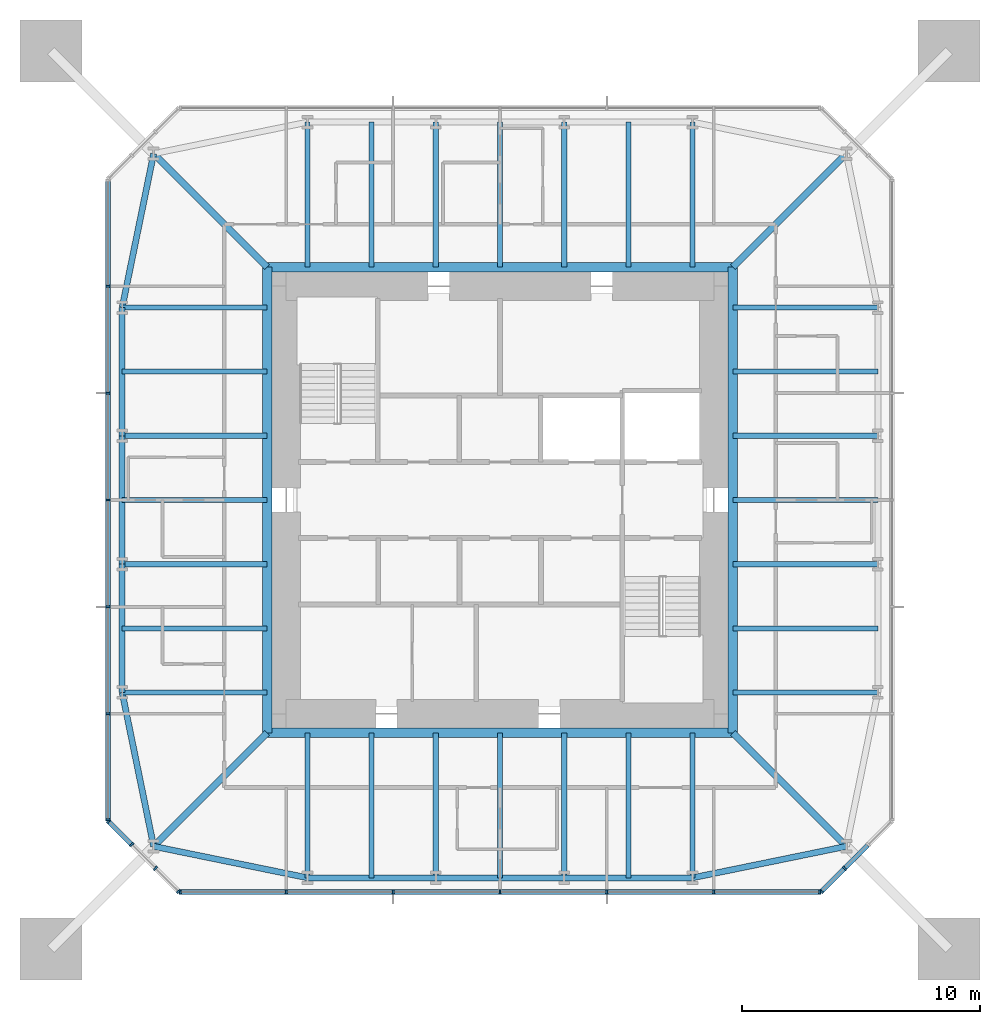
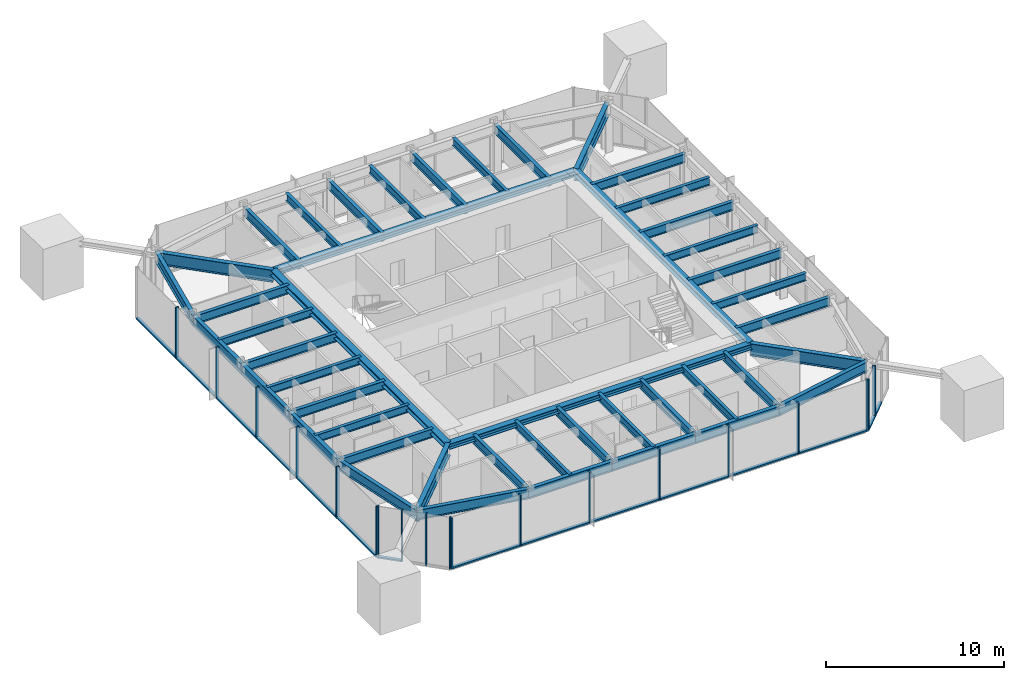
# One storey, part 2 of 9: 46 beams, 34 members, 4 elements without a shape of their own.
"""IFC4 building model written with IfcOpenShell, lengths in metres."""

from ifc_helpers import new_model, si_unit, direction, frame, origin, origin_2d, place, context, subcontext, project, spatial, rectangle, i_section, extrude, material, material_profile, profile_set, type_object, element, aggregate, save


model = new_model("IFC4")

# Units and contexts
model_context = context("Model", 3, precision=1e-05, world=origin(), true_north=direction((0.0, 1.0)))
body_context = subcontext(model_context, "Body", "Model", "MODEL_VIEW")
ifc_project = project(units=[si_unit("LENGTHUNIT", "METRE"), si_unit("AREAUNIT", "SQUARE_METRE"), si_unit("VOLUMEUNIT", "CUBIC_METRE"), si_unit("PLANEANGLEUNIT", "RADIAN"), si_unit("MASSUNIT", "GRAM", prefix="KILO")], contexts=[model_context])

# Site, building, storey
site_placement = place(None, origin())
site = spatial("IfcSite", under=ifc_project, at=site_placement, CompositionType="ELEMENT")
building_placement = place(site_placement, origin())
building = spatial("IfcBuilding", under=site, at=building_placement, Name="Iwan Alto Co-Living Towers", CompositionType="ELEMENT")
storey_placement = place(building_placement, frame((0.0, 0.0, 236.0)))
storey = spatial("IfcBuildingStorey", under=building, at=storey_placement, Name="L64", CompositionType="ELEMENT", Elevation=236.0)

# Curtain wall, members
ifc_material_1 = material(Name="Bronze aluminium unitised frame", Category="aluminium")
curtain_wall_type_1 = type_object("IfcCurtainWallType", Name="CURTAIN WALL CW-A", PredefinedType="NOTDEFINED", material=ifc_material_1)
curtain_wall_1_placement = place(storey_placement, origin())
curtain_wall_1 = element("IfcCurtainWall", 1, at=curtain_wall_1_placement, inside=storey, type_object=curtain_wall_type_1, Name="T1 curtain wall S L64", PredefinedType="NOTDEFINED")
ifc_material_2 = material(Name="Aluminium 6063-T6 bronze anodised", Category="aluminium")
ifc_material_profile_1 = material_profile(ifc_material_2, rectangle(XDim=0.199951171875, YDim=0.080078125, at=origin_2d()), Name="AL 80X200")
ifc_profile_set_1 = profile_set([ifc_material_profile_1], Name="Aluminium 6063-T6 bronze anodised")
member_type_1 = type_object("IfcMemberType", Name="CW-A MULLION 80X200", PredefinedType="MULLION", material=ifc_profile_set_1)
member_1_placement = place(storey_placement, frame((-13.4599609375, -16.5, 0.0), z_axis=(0.0, 0.0, 1.0), x_axis=(0.0, 1.0, 0.0)))
member_1 = element("IfcMember", 2, at=member_1_placement, type_object=member_type_1, Name="CW-A mullion 1", PredefinedType="MULLION", context=body_context, shape_type="SweptSolid", body=[
    extrude(rectangle(XDim=0.199951171875, YDim=0.080078125, at=origin_2d()), origin(), (0.0, 0.0, 1.0), 3.5),
])
member_2_placement = place(storey_placement, frame((-9.0, -16.5, 0.0), z_axis=(0.0, 0.0, 1.0), x_axis=(0.0, 1.0, 0.0)))
member_2 = element("IfcMember", 3, at=member_2_placement, type_object=member_type_1, Name="CW-A mullion 2", PredefinedType="MULLION", context=body_context, shape_type="SweptSolid", body=[
    extrude(rectangle(XDim=0.199951171875, YDim=0.080078125, at=origin_2d()), origin(), (0.0, 0.0, 1.0), 3.5),
])
member_3_placement = place(storey_placement, frame((-4.5, -16.5, 0.0), z_axis=(0.0, 0.0, 1.0), x_axis=(0.0, 1.0, 0.0)))
member_3 = element("IfcMember", 4, at=member_3_placement, type_object=member_type_1, Name="CW-A mullion 3", PredefinedType="MULLION", context=body_context, shape_type="SweptSolid", body=[
    extrude(rectangle(XDim=0.199951171875, YDim=0.080078125, at=origin_2d()), origin(), (0.0, 0.0, 1.0), 3.5),
])
member_4_placement = place(storey_placement, frame((0.0, -16.5, 0.0), z_axis=(0.0, 0.0, 1.0), x_axis=(0.0, 1.0, 0.0)))
member_4 = element("IfcMember", 5, at=member_4_placement, type_object=member_type_1, Name="CW-A mullion 4", PredefinedType="MULLION", context=body_context, shape_type="SweptSolid", body=[
    extrude(rectangle(XDim=0.199951171875, YDim=0.080078125, at=origin_2d()), origin(), (0.0, 0.0, 1.0), 3.5),
])
member_5_placement = place(storey_placement, frame((4.5, -16.5, 0.0), z_axis=(0.0, 0.0, 1.0), x_axis=(0.0, 1.0, 0.0)))
member_5 = element("IfcMember", 6, at=member_5_placement, type_object=member_type_1, Name="CW-A mullion 5", PredefinedType="MULLION", context=body_context, shape_type="SweptSolid", body=[
    extrude(rectangle(XDim=0.199951171875, YDim=0.080078125, at=origin_2d()), origin(), (0.0, 0.0, 1.0), 3.5),
])
member_6_placement = place(storey_placement, frame((9.0, -16.5, 0.0), z_axis=(0.0, 0.0, 1.0), x_axis=(0.0, 1.0, 0.0)))
member_6 = element("IfcMember", 7, at=member_6_placement, type_object=member_type_1, Name="CW-A mullion 6", PredefinedType="MULLION", context=body_context, shape_type="SweptSolid", body=[
    extrude(rectangle(XDim=0.199951171875, YDim=0.080078125, at=origin_2d()), origin(), (0.0, 0.0, 1.0), 3.5),
])
member_7_placement = place(storey_placement, frame((13.4599609375, -16.5, 0.0), z_axis=(0.0, 0.0, 1.0), x_axis=(0.0, 1.0, 0.0)))
member_7 = element("IfcMember", 8, at=member_7_placement, type_object=member_type_1, Name="CW-A mullion 7", PredefinedType="MULLION", context=body_context, shape_type="SweptSolid", body=[
    extrude(rectangle(XDim=0.199951171875, YDim=0.080078125, at=origin_2d()), origin(), (0.0, 0.0, 1.0), 3.5),
])

curtain_wall_2_placement = place(storey_placement, origin())
curtain_wall_2 = element("IfcCurtainWall", 9, at=curtain_wall_2_placement, inside=storey, type_object=curtain_wall_type_1, Name="T1 curtain wall W L64", PredefinedType="NOTDEFINED")
member_8_placement = place(storey_placement, frame((-16.5, 9.0, 0.0), z_axis=(0.0, 0.0, 1.0), x_axis=(1.0, 0.0, 0.0)))
member_8 = element("IfcMember", 10, at=member_8_placement, type_object=member_type_1, Name="CW-A mullion 2", PredefinedType="MULLION", context=body_context, shape_type="SweptSolid", body=[
    extrude(rectangle(XDim=0.199951171875, YDim=0.080078125, at=origin_2d()), origin(), (0.0, 0.0, 1.0), 3.5),
])
member_9_placement = place(storey_placement, frame((-16.5, 4.5, 0.0), z_axis=(0.0, 0.0, 1.0), x_axis=(1.0, 0.0, 0.0)))
member_9 = element("IfcMember", 11, at=member_9_placement, type_object=member_type_1, Name="CW-A mullion 3", PredefinedType="MULLION", context=body_context, shape_type="SweptSolid", body=[
    extrude(rectangle(XDim=0.199951171875, YDim=0.080078125, at=origin_2d()), origin(), (0.0, 0.0, 1.0), 3.5),
])
member_10_placement = place(storey_placement, frame((-16.5, 0.0, 0.0), z_axis=(0.0, 0.0, 1.0), x_axis=(1.0, 0.0, 0.0)))
member_10 = element("IfcMember", 12, at=member_10_placement, type_object=member_type_1, Name="CW-A mullion 4", PredefinedType="MULLION", context=body_context, shape_type="SweptSolid", body=[
    extrude(rectangle(XDim=0.199951171875, YDim=0.080078125, at=origin_2d()), origin(), (0.0, 0.0, 1.0), 3.5),
])
member_11_placement = place(storey_placement, frame((-16.5, -4.5, 0.0), z_axis=(0.0, 0.0, 1.0), x_axis=(1.0, 0.0, 0.0)))
member_11 = element("IfcMember", 13, at=member_11_placement, type_object=member_type_1, Name="CW-A mullion 5", PredefinedType="MULLION", context=body_context, shape_type="SweptSolid", body=[
    extrude(rectangle(XDim=0.199951171875, YDim=0.080078125, at=origin_2d()), origin(), (0.0, 0.0, 1.0), 3.5),
])
member_12_placement = place(storey_placement, frame((-16.5, -9.0, 0.0), z_axis=(0.0, 0.0, 1.0), x_axis=(1.0, 0.0, 0.0)))
member_12 = element("IfcMember", 14, at=member_12_placement, type_object=member_type_1, Name="CW-A mullion 6", PredefinedType="MULLION", context=body_context, shape_type="SweptSolid", body=[
    extrude(rectangle(XDim=0.199951171875, YDim=0.080078125, at=origin_2d()), origin(), (0.0, 0.0, 1.0), 3.5),
])
member_13_placement = place(storey_placement, frame((-16.5, -13.4599609375, 0.0), z_axis=(0.0, 0.0, 1.0), x_axis=(1.0, 0.0, 0.0)))
member_13 = element("IfcMember", 15, at=member_13_placement, type_object=member_type_1, Name="CW-A mullion 7", PredefinedType="MULLION", context=body_context, shape_type="SweptSolid", body=[
    extrude(rectangle(XDim=0.199951171875, YDim=0.080078125, at=origin_2d()), origin(), (0.0, 0.0, 1.0), 3.5),
])

# Member
ifc_material_3 = material(Name="Aluminium 6063-T6 bronze anodised", Category="aluminium")
ifc_material_profile_2 = material_profile(ifc_material_3, rectangle(XDim=0.199951171875, YDim=0.10009765625, at=origin_2d()), Name="AL 200X100")
ifc_profile_set_2 = profile_set([ifc_material_profile_2], Name="Aluminium 6063-T6 bronze anodised")
member_type_2 = type_object("IfcMemberType", Name="CW-A TRANSOM 200X100", PredefinedType="USERDEFINED", material=ifc_profile_set_2)
member_14_placement = place(storey_placement, frame((-13.419921875, -16.5, 0.050048828125), z_axis=(1.0, 0.0, 0.0), x_axis=(0.0, 1.0, 0.0)))
member_14 = element("IfcMember", 16, at=member_14_placement, type_object=member_type_2, Name="CW-A transom 1.1", ObjectType="TRANSOM", PredefinedType="USERDEFINED", context=body_context, shape_type="SweptSolid", body=[
    extrude(rectangle(XDim=0.199951171875, YDim=0.10009765625, at=origin_2d()), origin(), (0.0, 0.0, 1.0), 4.3798828125),
])

member_15_placement = place(storey_placement, frame((-8.9599609375, -16.5, 0.050048828125), z_axis=(1.0, 0.0, 0.0), x_axis=(0.0, 1.0, 0.0)))
member_15 = element("IfcMember", 17, at=member_15_placement, type_object=member_type_2, Name="CW-A transom 2.1", ObjectType="TRANSOM", PredefinedType="USERDEFINED", context=body_context, shape_type="SweptSolid", body=[
    extrude(rectangle(XDim=0.199951171875, YDim=0.10009765625, at=origin_2d()), origin(), (0.0, 0.0, 1.0), 4.419921875),
])

member_16_placement = place(storey_placement, frame((-4.4599609375, -16.5, 0.050048828125), z_axis=(1.0, 0.0, 0.0), x_axis=(0.0, 1.0, 0.0)))
member_16 = element("IfcMember", 18, at=member_16_placement, type_object=member_type_2, Name="CW-A transom 3.1", ObjectType="TRANSOM", PredefinedType="USERDEFINED", context=body_context, shape_type="SweptSolid", body=[
    extrude(rectangle(XDim=0.199951171875, YDim=0.10009765625, at=origin_2d()), origin(), (0.0, 0.0, 1.0), 4.419921875),
])

member_17_placement = place(storey_placement, frame((0.0400390625, -16.5, 0.050048828125), z_axis=(1.0, 0.0, 0.0), x_axis=(0.0, 1.0, 0.0)))
member_17 = element("IfcMember", 19, at=member_17_placement, type_object=member_type_2, Name="CW-A transom 4.1", ObjectType="TRANSOM", PredefinedType="USERDEFINED", context=body_context, shape_type="SweptSolid", body=[
    extrude(rectangle(XDim=0.199951171875, YDim=0.10009765625, at=origin_2d()), origin(), (0.0, 0.0, 1.0), 4.419921875),
])

member_18_placement = place(storey_placement, frame((4.5400390625, -16.5, 0.050048828125), z_axis=(1.0, 0.0, 0.0), x_axis=(0.0, 1.0, 0.0)))
member_18 = element("IfcMember", 20, at=member_18_placement, type_object=member_type_2, Name="CW-A transom 5.1", ObjectType="TRANSOM", PredefinedType="USERDEFINED", context=body_context, shape_type="SweptSolid", body=[
    extrude(rectangle(XDim=0.199951171875, YDim=0.10009765625, at=origin_2d()), origin(), (0.0, 0.0, 1.0), 4.419921875),
])

member_19_placement = place(storey_placement, frame((9.0400390625, -16.5, 0.050048828125), z_axis=(1.0, 0.0, 0.0), x_axis=(0.0, 1.0, 0.0)))
member_19 = element("IfcMember", 21, at=member_19_placement, type_object=member_type_2, Name="CW-A transom 6.1", ObjectType="TRANSOM", PredefinedType="USERDEFINED", context=body_context, shape_type="SweptSolid", body=[
    extrude(rectangle(XDim=0.199951171875, YDim=0.10009765625, at=origin_2d()), origin(), (0.0, 0.0, 1.0), 4.3798828125),
])

aggregate(curtain_wall_1, [member_1, member_2, member_3, member_4, member_5, member_6, member_7, member_14, member_15, member_16, member_17, member_18, member_19])

member_20_placement = place(storey_placement, frame((-16.5, 13.419921875, 0.050048828125), z_axis=(0.0, -1.0, 0.0), x_axis=(1.0, 0.0, 0.0)))
member_20 = element("IfcMember", 22, at=member_20_placement, type_object=member_type_2, Name="CW-A transom 1.1", ObjectType="TRANSOM", PredefinedType="USERDEFINED", context=body_context, shape_type="SweptSolid", body=[
    extrude(rectangle(XDim=0.199951171875, YDim=0.10009765625, at=origin_2d()), origin(), (0.0, 0.0, 1.0), 4.3798828125),
])

member_21_placement = place(storey_placement, frame((-16.5, 8.9599609375, 0.050048828125), z_axis=(0.0, -1.0, 0.0), x_axis=(1.0, 0.0, 0.0)))
member_21 = element("IfcMember", 23, at=member_21_placement, type_object=member_type_2, Name="CW-A transom 2.1", ObjectType="TRANSOM", PredefinedType="USERDEFINED", context=body_context, shape_type="SweptSolid", body=[
    extrude(rectangle(XDim=0.199951171875, YDim=0.10009765625, at=origin_2d()), origin(), (0.0, 0.0, 1.0), 4.419921875),
])

member_22_placement = place(storey_placement, frame((-16.5, 4.4599609375, 0.050048828125), z_axis=(0.0, -1.0, 0.0), x_axis=(1.0, 0.0, 0.0)))
member_22 = element("IfcMember", 24, at=member_22_placement, type_object=member_type_2, Name="CW-A transom 3.1", ObjectType="TRANSOM", PredefinedType="USERDEFINED", context=body_context, shape_type="SweptSolid", body=[
    extrude(rectangle(XDim=0.199951171875, YDim=0.10009765625, at=origin_2d()), origin(), (0.0, 0.0, 1.0), 4.419921875),
])

member_23_placement = place(storey_placement, frame((-16.5, -0.0400390625, 0.050048828125), z_axis=(0.0, -1.0, 0.0), x_axis=(1.0, 0.0, 0.0)))
member_23 = element("IfcMember", 25, at=member_23_placement, type_object=member_type_2, Name="CW-A transom 4.1", ObjectType="TRANSOM", PredefinedType="USERDEFINED", context=body_context, shape_type="SweptSolid", body=[
    extrude(rectangle(XDim=0.199951171875, YDim=0.10009765625, at=origin_2d()), origin(), (0.0, 0.0, 1.0), 4.419921875),
])

member_24_placement = place(storey_placement, frame((-16.5, -4.5400390625, 0.050048828125), z_axis=(0.0, -1.0, 0.0), x_axis=(1.0, 0.0, 0.0)))
member_24 = element("IfcMember", 26, at=member_24_placement, type_object=member_type_2, Name="CW-A transom 5.1", ObjectType="TRANSOM", PredefinedType="USERDEFINED", context=body_context, shape_type="SweptSolid", body=[
    extrude(rectangle(XDim=0.199951171875, YDim=0.10009765625, at=origin_2d()), origin(), (0.0, 0.0, 1.0), 4.419921875),
])

member_25_placement = place(storey_placement, frame((-16.5, -9.0400390625, 0.050048828125), z_axis=(0.0, -1.0, 0.0), x_axis=(1.0, 0.0, 0.0)))
member_25 = element("IfcMember", 27, at=member_25_placement, type_object=member_type_2, Name="CW-A transom 6.1", ObjectType="TRANSOM", PredefinedType="USERDEFINED", context=body_context, shape_type="SweptSolid", body=[
    extrude(rectangle(XDim=0.199951171875, YDim=0.10009765625, at=origin_2d()), origin(), (0.0, 0.0, 1.0), 4.3798828125),
])

aggregate(curtain_wall_2, [member_8, member_9, member_10, member_11, member_12, member_13, member_20, member_21, member_22, member_23, member_24, member_25])

# Curtain wall, members
ifc_material_4 = material(Name="Bronze aluminium unitised frame", Category="aluminium")
curtain_wall_type_2 = type_object("IfcCurtainWallType", Name="CURTAIN WALL CW-B", PredefinedType="NOTDEFINED", material=ifc_material_4)
curtain_wall_3_placement = place(storey_placement, origin())
curtain_wall_3 = element("IfcCurtainWall", 28, at=curtain_wall_3_placement, inside=storey, type_object=curtain_wall_type_2, Name="T1 chamfer curtain wall SE L64", PredefinedType="NOTDEFINED")
ifc_material_5 = material(Name="Aluminium 6063-T6 bronze anodised", Category="aluminium")
ifc_material_profile_3 = material_profile(ifc_material_5, rectangle(XDim=0.199951171875, YDim=0.080078125, at=origin_2d()), Name="AL 80X200")
ifc_profile_set_3 = profile_set([ifc_material_profile_3], Name="Aluminium 6063-T6 bronze anodised")
member_type_3 = type_object("IfcMemberType", Name="CW-B MULLION 80X200", PredefinedType="MULLION", material=ifc_profile_set_3)
member_26_placement = place(storey_placement, frame((13.5283203125, -16.4716796875, 0.0), z_axis=(0.0, 0.0, 1.0), x_axis=(-0.707106781187, 0.707106781187, 0.0)))
member_26 = element("IfcMember", 29, at=member_26_placement, type_object=member_type_3, Name="CW-B mullion 1", PredefinedType="MULLION", context=body_context, shape_type="SweptSolid", body=[
    extrude(rectangle(XDim=0.199951171875, YDim=0.080078125, at=origin_2d()), origin(), (0.0, 0.0, 1.0), 3.5),
])
member_27_placement = place(storey_placement, frame((14.5, -15.5, 0.0), z_axis=(0.0, 0.0, 1.0), x_axis=(-0.707106781187, 0.707106781187, 0.0)))
member_27 = element("IfcMember", 30, at=member_27_placement, type_object=member_type_3, Name="CW-B mullion 2", PredefinedType="MULLION", context=body_context, shape_type="SweptSolid", body=[
    extrude(rectangle(XDim=0.199951171875, YDim=0.080078125, at=origin_2d()), origin(), (0.0, 0.0, 1.0), 3.5),
])

curtain_wall_4_placement = place(storey_placement, origin())
curtain_wall_4 = element("IfcCurtainWall", 31, at=curtain_wall_4_placement, inside=storey, type_object=curtain_wall_type_2, Name="T1 chamfer curtain wall SW L64", PredefinedType="NOTDEFINED")
member_28_placement = place(storey_placement, frame((-16.4716796875, -13.5283203125, 0.0), z_axis=(0.0, 0.0, 1.0), x_axis=(0.707106781187, 0.707106781187, 0.0)))
member_28 = element("IfcMember", 32, at=member_28_placement, type_object=member_type_3, Name="CW-B mullion 1", PredefinedType="MULLION", context=body_context, shape_type="SweptSolid", body=[
    extrude(rectangle(XDim=0.199951171875, YDim=0.080078125, at=origin_2d()), origin(), (0.0, 0.0, 1.0), 3.5),
])
member_29_placement = place(storey_placement, frame((-15.5, -14.5, 0.0), z_axis=(0.0, 0.0, 1.0), x_axis=(0.707106781187, 0.707106781187, 0.0)))
member_29 = element("IfcMember", 33, at=member_29_placement, type_object=member_type_3, Name="CW-B mullion 2", PredefinedType="MULLION", context=body_context, shape_type="SweptSolid", body=[
    extrude(rectangle(XDim=0.199951171875, YDim=0.080078125, at=origin_2d()), origin(), (0.0, 0.0, 1.0), 3.5),
])
member_30_placement = place(storey_placement, frame((-14.5, -15.5, 0.0), z_axis=(0.0, 0.0, 1.0), x_axis=(0.707106781187, 0.707106781187, 0.0)))
member_30 = element("IfcMember", 34, at=member_30_placement, type_object=member_type_3, Name="CW-B mullion 3", PredefinedType="MULLION", context=body_context, shape_type="SweptSolid", body=[
    extrude(rectangle(XDim=0.199951171875, YDim=0.080078125, at=origin_2d()), origin(), (0.0, 0.0, 1.0), 3.5),
])
member_31_placement = place(storey_placement, frame((-13.5283203125, -16.4716796875, 0.0), z_axis=(0.0, 0.0, 1.0), x_axis=(0.707106781187, 0.707106781187, 0.0)))
member_31 = element("IfcMember", 35, at=member_31_placement, type_object=member_type_3, Name="CW-B mullion 4", PredefinedType="MULLION", context=body_context, shape_type="SweptSolid", body=[
    extrude(rectangle(XDim=0.199951171875, YDim=0.080078125, at=origin_2d()), origin(), (0.0, 0.0, 1.0), 3.5),
])

# Member
ifc_material_6 = material(Name="Aluminium 6063-T6 bronze anodised", Category="aluminium")
ifc_material_profile_4 = material_profile(ifc_material_6, rectangle(XDim=0.199951171875, YDim=0.10009765625, at=origin_2d()), Name="AL 200X100")
ifc_profile_set_4 = profile_set([ifc_material_profile_4], Name="Aluminium 6063-T6 bronze anodised")
member_type_4 = type_object("IfcMemberType", Name="CW-B TRANSOM 200X100", PredefinedType="USERDEFINED", material=ifc_profile_set_4)
member_32_placement = place(storey_placement, frame((13.556640625, -16.443359375, 0.050048828125), z_axis=(0.707106781187, 0.707106781187, 0.0), x_axis=(-0.707106781187, 0.707106781187, 0.0)))
member_32 = element("IfcMember", 36, at=member_32_placement, type_object=member_type_4, Name="CW-B transom 1.1", ObjectType="TRANSOM", PredefinedType="USERDEFINED", context=body_context, shape_type="SweptSolid", body=[
    extrude(rectangle(XDim=0.199951171875, YDim=0.10009765625, at=origin_2d()), origin(), (0.0, 0.0, 1.0), 1.2939453125),
])

member_33_placement = place(storey_placement, frame((14.5283203125, -15.4716796875, 0.050048828125), z_axis=(0.707106781187, 0.707106781187, 0.0), x_axis=(-0.707106781187, 0.707106781187, 0.0)))
member_33 = element("IfcMember", 37, at=member_33_placement, type_object=member_type_4, Name="CW-B transom 2.1", ObjectType="TRANSOM", PredefinedType="USERDEFINED", context=body_context, shape_type="SweptSolid", body=[
    extrude(rectangle(XDim=0.199951171875, YDim=0.10009765625, at=origin_2d()), origin(), (0.0, 0.0, 1.0), 1.334228515625),
])

aggregate(curtain_wall_3, [member_26, member_27, member_32, member_33])

member_34_placement = place(storey_placement, frame((-16.443359375, -13.556640625, 0.050048828125), z_axis=(0.707106781187, -0.707106781187, 0.0), x_axis=(0.707106781187, 0.707106781187, 0.0)))
member_34 = element("IfcMember", 38, at=member_34_placement, type_object=member_type_4, Name="CW-B transom 1.1", ObjectType="TRANSOM", PredefinedType="USERDEFINED", context=body_context, shape_type="SweptSolid", body=[
    extrude(rectangle(XDim=0.199951171875, YDim=0.10009765625, at=origin_2d()), origin(), (0.0, 0.0, 1.0), 1.2939453125),
])

aggregate(curtain_wall_4, [member_28, member_29, member_30, member_31, member_34])

# Beams
ifc_material_7 = material(Name="Steel ASTM A992 Gr 50", Category="steel")
ifc_material_profile_5 = material_profile(ifc_material_7, i_section(OverallWidth=0.398681640625, OverallDepth=0.385986328125, WebThickness=0.02099609375, FlangeThickness=0.033203125, at=origin_2d()), Name="W14X176")
ifc_profile_set_5 = profile_set([ifc_material_profile_5], Name="Steel ASTM A992 Gr 50")
beam_type_1 = type_object("IfcBeamType", Name="T1 CORE LEDGER BEAM W14X176", PredefinedType="BEAM", material=ifc_profile_set_5)
for number, where, z_axis, x_axis, name in (
    (39, (-9.79931640625, -9.79931640625, 3.076904296875), (1.0, 0.0, 0.0), (0.0, 1.0, 0.0), "T1 core ledger beam S L65"),
    (40, (9.79931640625, -9.79931640625, 3.076904296875), (0.0, 1.0, 0.0), (-1.0, 0.0, 0.0), "T1 core ledger beam E L65"),
    (41, (9.79931640625, 9.79931640625, 3.076904296875), (-1.0, 0.0, 0.0), (0.0, -1.0, 0.0), "T1 core ledger beam N L65"),
    (42, (-9.79931640625, 9.79931640625, 3.076904296875), (0.0, -1.0, 0.0), (1.0, 0.0, 0.0), "T1 core ledger beam W L65"),
):
    element("IfcBeam", number, at=place(storey_placement, frame(where, z_axis=z_axis, x_axis=x_axis)), inside=storey, type_object=beam_type_1, Name=name, PredefinedType="BEAM", context=body_context, shape_type="SweptSolid", body=[
        extrude(i_section(OverallWidth=0.398681640625, OverallDepth=0.385986328125, WebThickness=0.02099609375, FlangeThickness=0.033203125, at=origin_2d()), origin(), (0.0, 0.0, 1.0), 19.5986328125),
    ])
ifc_material_8 = material(Name="Steel ASTM A992 Gr 50", Category="steel")
ifc_material_profile_6 = material_profile(ifc_material_8, i_section(OverallWidth=0.2919921875, OverallDepth=0.8408203125, WebThickness=0.0146484375, FlangeThickness=0.021728515625, at=origin_2d()), Name="W33X130")
ifc_profile_set_6 = profile_set([ifc_material_profile_6], Name="Steel ASTM A992 Gr 50")
beam_type_2 = type_object("IfcBeamType", Name="T1 CORNER GIRDER W33X130", PredefinedType="BEAM", material=ifc_profile_set_6)
for number, where, z_axis, x_axis, name in (
    (43, (-14.57568359375, -14.57568359375, 2.849609375), (0.707106781187, 0.707106781187, 0.0), (-0.707106781187, 0.707106781187, 0.0), "T1 corner girder CSW L65"),
    (44, (14.57568359375, -14.57568359375, 2.849609375), (-0.707106781187, 0.707106781187, 0.0), (-0.707106781187, -0.707106781187, 0.0), "T1 corner girder CSE L65"),
    (45, (14.57568359375, 14.57568359375, 2.849609375), (-0.707106781187, -0.707106781187, 0.0), (0.707106781187, -0.707106781187, 0.0), "T1 corner girder CNE L65"),
    (46, (-14.57568359375, 14.57568359375, 2.849609375), (0.707106781187, -0.707106781187, 0.0), (0.707106781187, 0.707106781187, 0.0), "T1 corner girder CNW L65"),
):
    element("IfcBeam", number, at=place(storey_placement, frame(where, z_axis=z_axis, x_axis=x_axis)), inside=storey, type_object=beam_type_2, Name=name, PredefinedType="BEAM", context=body_context, shape_type="SweptSolid", body=[
        extrude(i_section(OverallWidth=0.2919921875, OverallDepth=0.8408203125, WebThickness=0.0146484375, FlangeThickness=0.021728515625, at=origin_2d()), origin(), (0.0, 0.0, 1.0), 6.7548828125),
    ])
ifc_material_9 = material(Name="Steel ASTM A992 Gr 50", Category="steel")
ifc_material_profile_7 = material_profile(ifc_material_9, i_section(OverallWidth=0.25390625, OverallDepth=0.683349609375, WebThickness=0.012451171875, FlangeThickness=0.018798828125, at=origin_2d()), Name="W27X94")
ifc_profile_set_7 = profile_set([ifc_material_profile_7], Name="Steel ASTM A992 Gr 50")
beam_type_3 = type_object("IfcBeamType", Name="T1 EDGE BEAM W27X94", PredefinedType="BEAM", material=ifc_profile_set_7)
beam_1_placement = place(storey_placement, frame((-14.57568359375, -14.57568359375, 2.928466796875), z_axis=(0.979724820103, -0.200347889618, 0.0), x_axis=(0.200347889618, 0.979724820103, 0.0)))
element("IfcBeam", 47, at=beam_1_placement, inside=storey, type_object=beam_type_3, Name="T1 edge beam CSW L65", PredefinedType="BEAM", context=body_context, shape_type="SweptSolid", body=[
    extrude(i_section(OverallWidth=0.25390625, OverallDepth=0.683349609375, WebThickness=0.012451171875, FlangeThickness=0.018798828125, at=origin_2d()), origin(), (0.0, 0.0, 1.0), 6.609619140625),
])
beam_2_placement = place(storey_placement, frame((-8.10009765625, -15.89990234375, 2.928466796875), z_axis=(1.0, 0.0, 0.0), x_axis=(0.0, 1.0, 0.0)))
element("IfcBeam", 48, at=beam_2_placement, inside=storey, type_object=beam_type_3, Name="T1 edge beam S1 L65", PredefinedType="BEAM", context=body_context, shape_type="SweptSolid", body=[
    extrude(i_section(OverallWidth=0.25390625, OverallDepth=0.683349609375, WebThickness=0.012451171875, FlangeThickness=0.018798828125, at=origin_2d()), origin(), (0.0, 0.0, 1.0), 5.400146484375),
])
beam_3_placement = place(storey_placement, frame((-2.699951171875, -15.89990234375, 2.928466796875), z_axis=(1.0, 0.0, 0.0), x_axis=(0.0, 1.0, 0.0)))
element("IfcBeam", 49, at=beam_3_placement, inside=storey, type_object=beam_type_3, Name="T1 edge beam S2 L65", PredefinedType="BEAM", context=body_context, shape_type="SweptSolid", body=[
    extrude(i_section(OverallWidth=0.25390625, OverallDepth=0.683349609375, WebThickness=0.012451171875, FlangeThickness=0.018798828125, at=origin_2d()), origin(), (0.0, 0.0, 1.0), 5.39990234375),
])
beam_4_placement = place(storey_placement, frame((2.699951171875, -15.89990234375, 2.928466796875), z_axis=(1.0, 0.0, 0.0), x_axis=(0.0, 1.0, 0.0)))
element("IfcBeam", 50, at=beam_4_placement, inside=storey, type_object=beam_type_3, Name="T1 edge beam S3 L65", PredefinedType="BEAM", context=body_context, shape_type="SweptSolid", body=[
    extrude(i_section(OverallWidth=0.25390625, OverallDepth=0.683349609375, WebThickness=0.012451171875, FlangeThickness=0.018798828125, at=origin_2d()), origin(), (0.0, 0.0, 1.0), 5.400146484375),
])
for number, where, z_axis, x_axis, name in (
    (51, (8.10009765625, -15.89990234375, 2.928466796875), (0.979724820103, 0.200347889618, 0.0), (-0.200347889618, 0.979724820103, 0.0), "T1 edge beam S4 L65"),
    (52, (-14.57568359375, 14.57568359375, 2.928466796875), (-0.200347889618, -0.979724820103, 0.0), (0.979724820103, -0.200347889618, 0.0), "T1 edge beam CNW L65"),
):
    element("IfcBeam", number, at=place(storey_placement, frame(where, z_axis=z_axis, x_axis=x_axis)), inside=storey, type_object=beam_type_3, Name=name, PredefinedType="BEAM", context=body_context, shape_type="SweptSolid", body=[
        extrude(i_section(OverallWidth=0.25390625, OverallDepth=0.683349609375, WebThickness=0.012451171875, FlangeThickness=0.018798828125, at=origin_2d()), origin(), (0.0, 0.0, 1.0), 6.609619140625),
    ])
beam_5_placement = place(storey_placement, frame((-15.89990234375, 8.10009765625, 2.928466796875), z_axis=(0.0, -1.0, 0.0), x_axis=(1.0, 0.0, 0.0)))
element("IfcBeam", 53, at=beam_5_placement, inside=storey, type_object=beam_type_3, Name="T1 edge beam W1 L65", PredefinedType="BEAM", context=body_context, shape_type="SweptSolid", body=[
    extrude(i_section(OverallWidth=0.25390625, OverallDepth=0.683349609375, WebThickness=0.012451171875, FlangeThickness=0.018798828125, at=origin_2d()), origin(), (0.0, 0.0, 1.0), 5.400146484375),
])
beam_6_placement = place(storey_placement, frame((-15.89990234375, 2.699951171875, 2.928466796875), z_axis=(0.0, -1.0, 0.0), x_axis=(1.0, 0.0, 0.0)))
element("IfcBeam", 54, at=beam_6_placement, inside=storey, type_object=beam_type_3, Name="T1 edge beam W2 L65", PredefinedType="BEAM", context=body_context, shape_type="SweptSolid", body=[
    extrude(i_section(OverallWidth=0.25390625, OverallDepth=0.683349609375, WebThickness=0.012451171875, FlangeThickness=0.018798828125, at=origin_2d()), origin(), (0.0, 0.0, 1.0), 5.39990234375),
])
beam_7_placement = place(storey_placement, frame((-15.89990234375, -2.699951171875, 2.928466796875), z_axis=(0.0, -1.0, 0.0), x_axis=(1.0, 0.0, 0.0)))
element("IfcBeam", 55, at=beam_7_placement, inside=storey, type_object=beam_type_3, Name="T1 edge beam W3 L65", PredefinedType="BEAM", context=body_context, shape_type="SweptSolid", body=[
    extrude(i_section(OverallWidth=0.25390625, OverallDepth=0.683349609375, WebThickness=0.012451171875, FlangeThickness=0.018798828125, at=origin_2d()), origin(), (0.0, 0.0, 1.0), 5.400146484375),
])
beam_8_placement = place(storey_placement, frame((-15.89990234375, -8.10009765625, 2.928466796875), z_axis=(0.200347889618, -0.979724820103, 0.0), x_axis=(0.979724820103, 0.200347889618, 0.0)))
element("IfcBeam", 56, at=beam_8_placement, inside=storey, type_object=beam_type_3, Name="T1 edge beam W4 L65", PredefinedType="BEAM", context=body_context, shape_type="SweptSolid", body=[
    extrude(i_section(OverallWidth=0.25390625, OverallDepth=0.683349609375, WebThickness=0.012451171875, FlangeThickness=0.018798828125, at=origin_2d()), origin(), (0.0, 0.0, 1.0), 6.609619140625),
])
ifc_material_10 = material(Name="Steel ASTM A992 Gr 50", Category="steel")
ifc_material_profile_8 = material_profile(ifc_material_10, i_section(OverallWidth=0.228271484375, OverallDepth=0.607177734375, WebThickness=0.01123046875, FlangeThickness=0.017333984375, at=origin_2d()), Name="W24X76")
ifc_profile_set_8 = profile_set([ifc_material_profile_8], Name="Steel ASTM A992 Gr 50")
beam_type_4 = type_object("IfcBeamType", Name="T1 RADIAL BEAM W24X76", PredefinedType="BEAM", material=ifc_profile_set_8)
for number, where, z_axis, x_axis, name in (
    (57, (-8.10009765625, -15.89990234375, 2.966552734375), (0.0, 1.0, 0.0), (-1.0, 0.0, 0.0), "T1 radial beam S1 L65"),
    (58, (-2.699951171875, -15.89990234375, 2.966552734375), (0.0, 1.0, 0.0), (-1.0, 0.0, 0.0), "T1 radial beam S2 L65"),
    (59, (2.699951171875, -15.89990234375, 2.966552734375), (0.0, 1.0, 0.0), (-1.0, 0.0, 0.0), "T1 radial beam S3 L65"),
    (60, (8.10009765625, -15.89990234375, 2.966552734375), (0.0, 1.0, 0.0), (-1.0, 0.0, 0.0), "T1 radial beam S4 L65"),
    (61, (15.89990234375, -8.10009765625, 2.966552734375), (-1.0, 0.0, 0.0), (0.0, -1.0, 0.0), "T1 radial beam E1 L65"),
    (62, (15.89990234375, -2.699951171875, 2.966552734375), (-1.0, 0.0, 0.0), (0.0, -1.0, 0.0), "T1 radial beam E2 L65"),
    (63, (15.89990234375, 2.699951171875, 2.966552734375), (-1.0, 0.0, 0.0), (0.0, -1.0, 0.0), "T1 radial beam E3 L65"),
    (64, (15.89990234375, 8.10009765625, 2.966552734375), (-1.0, 0.0, 0.0), (0.0, -1.0, 0.0), "T1 radial beam E4 L65"),
    (65, (8.10009765625, 15.89990234375, 2.966552734375), (0.0, -1.0, 0.0), (1.0, 0.0, 0.0), "T1 radial beam N1 L65"),
    (66, (2.699951171875, 15.89990234375, 2.966552734375), (0.0, -1.0, 0.0), (1.0, 0.0, 0.0), "T1 radial beam N2 L65"),
    (67, (-2.699951171875, 15.89990234375, 2.966552734375), (0.0, -1.0, 0.0), (1.0, 0.0, 0.0), "T1 radial beam N3 L65"),
    (68, (-8.10009765625, 15.89990234375, 2.966552734375), (0.0, -1.0, 0.0), (1.0, 0.0, 0.0), "T1 radial beam N4 L65"),
    (69, (-15.89990234375, 8.10009765625, 2.966552734375), (1.0, 0.0, 0.0), (0.0, 1.0, 0.0), "T1 radial beam W1 L65"),
    (70, (-15.89990234375, 2.699951171875, 2.966552734375), (1.0, 0.0, 0.0), (0.0, 1.0, 0.0), "T1 radial beam W2 L65"),
    (71, (-15.89990234375, -2.699951171875, 2.966552734375), (1.0, 0.0, 0.0), (0.0, 1.0, 0.0), "T1 radial beam W3 L65"),
    (72, (-15.89990234375, -8.10009765625, 2.966552734375), (1.0, 0.0, 0.0), (0.0, 1.0, 0.0), "T1 radial beam W4 L65"),
):
    element("IfcBeam", number, at=place(storey_placement, frame(where, z_axis=z_axis, x_axis=x_axis)), inside=storey, type_object=beam_type_4, Name=name, PredefinedType="BEAM", context=body_context, shape_type="SweptSolid", body=[
        extrude(i_section(OverallWidth=0.228271484375, OverallDepth=0.607177734375, WebThickness=0.01123046875, FlangeThickness=0.017333984375, at=origin_2d()), origin(), (0.0, 0.0, 1.0), 6.1005859375),
    ])
ifc_material_11 = material(Name="Steel ASTM A992 Gr 50", Category="steel")
ifc_material_profile_9 = material_profile(ifc_material_11, i_section(OverallWidth=0.209228515625, OverallDepth=0.533447265625, WebThickness=0.01025390625, FlangeThickness=0.015625, at=origin_2d()), Name="W21X62")
ifc_profile_set_9 = profile_set([ifc_material_profile_9], Name="Steel ASTM A992 Gr 50")
beam_type_5 = type_object("IfcBeamType", Name="T1 SECONDARY BEAM W21X62", PredefinedType="JOIST", material=ifc_profile_set_9)
for number, where, z_axis, x_axis, name in (
    (73, (-5.39990234375, -15.89990234375, 3.00341796875), (0.0, 1.0, 0.0), (-1.0, 0.0, 0.0), "T1 secondary beam S1 L65"),
    (74, (0.0, -15.89990234375, 3.00341796875), (0.0, 1.0, 0.0), (-1.0, 0.0, 0.0), "T1 secondary beam S2 L65"),
    (75, (5.39990234375, -15.89990234375, 3.00341796875), (0.0, 1.0, 0.0), (-1.0, 0.0, 0.0), "T1 secondary beam S3 L65"),
    (76, (15.89990234375, -5.39990234375, 3.00341796875), (-1.0, 0.0, 0.0), (0.0, -1.0, 0.0), "T1 secondary beam E1 L65"),
    (77, (15.89990234375, 0.0, 3.00341796875), (-1.0, 0.0, 0.0), (0.0, -1.0, 0.0), "T1 secondary beam E2 L65"),
    (78, (15.89990234375, 5.39990234375, 3.00341796875), (-1.0, 0.0, 0.0), (0.0, -1.0, 0.0), "T1 secondary beam E3 L65"),
    (79, (5.39990234375, 15.89990234375, 3.00341796875), (0.0, -1.0, 0.0), (1.0, 0.0, 0.0), "T1 secondary beam N1 L65"),
    (80, (0.0, 15.89990234375, 3.00341796875), (0.0, -1.0, 0.0), (1.0, 0.0, 0.0), "T1 secondary beam N2 L65"),
    (81, (-5.39990234375, 15.89990234375, 3.00341796875), (0.0, -1.0, 0.0), (1.0, 0.0, 0.0), "T1 secondary beam N3 L65"),
    (82, (-15.89990234375, 5.39990234375, 3.00341796875), (1.0, 0.0, 0.0), (0.0, 1.0, 0.0), "T1 secondary beam W1 L65"),
    (83, (-15.89990234375, 0.0, 3.00341796875), (1.0, 0.0, 0.0), (0.0, 1.0, 0.0), "T1 secondary beam W2 L65"),
    (84, (-15.89990234375, -5.39990234375, 3.00341796875), (1.0, 0.0, 0.0), (0.0, 1.0, 0.0), "T1 secondary beam W3 L65"),
):
    element("IfcBeam", number, at=place(storey_placement, frame(where, z_axis=z_axis, x_axis=x_axis)), inside=storey, type_object=beam_type_5, Name=name, PredefinedType="JOIST", context=body_context, shape_type="SweptSolid", body=[
        extrude(i_section(OverallWidth=0.209228515625, OverallDepth=0.533447265625, WebThickness=0.01025390625, FlangeThickness=0.015625, at=origin_2d()), origin(), (0.0, 0.0, 1.0), 6.1005859375),
    ])

save(model, "model.ifc")
